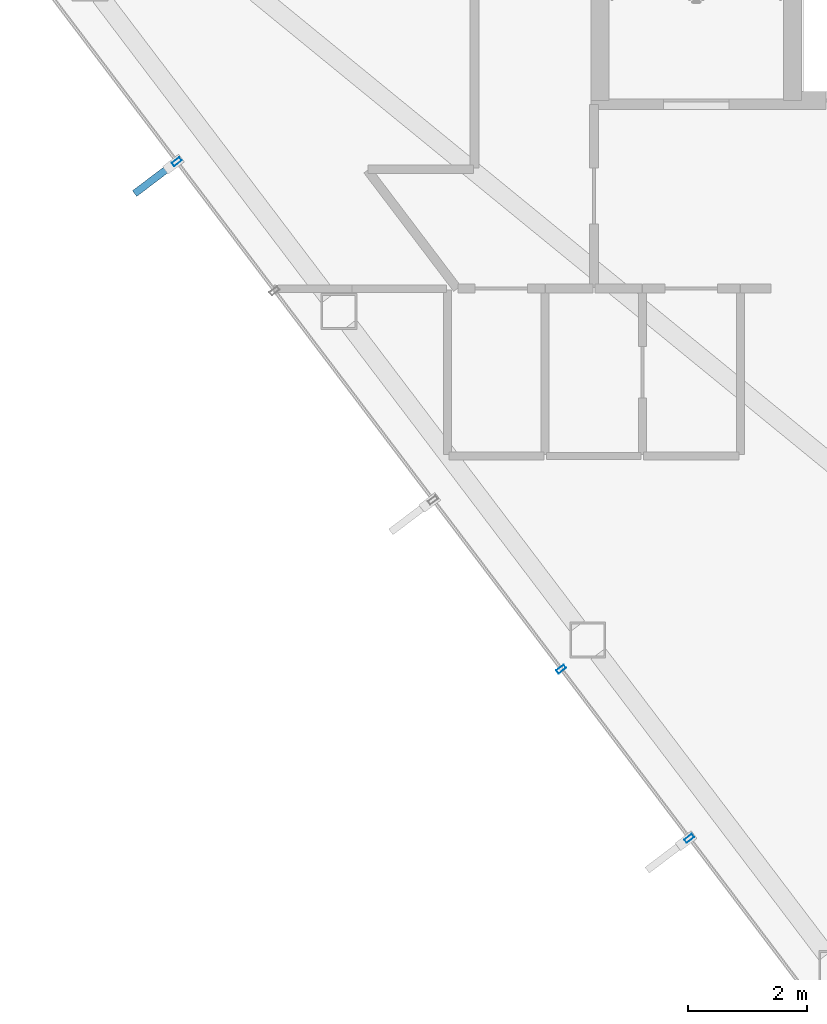
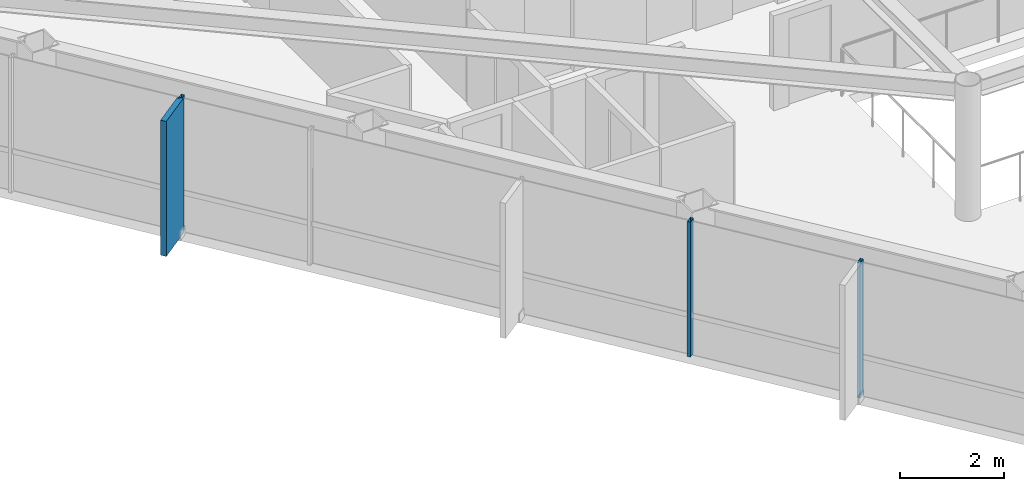
# One storey, part 2 of 28: 4 members, 1 element without a shape of its own.
"""IFC4 building model written with IfcOpenShell, lengths in metres."""

from ifc_helpers import new_model, si_unit, direction, frame, origin, origin_2d, place, context, subcontext, project, spatial, rectangle, hollow_rectangle, extrude, material, layer, layer_set, material_profile, profile_set, type_object, element, aggregate, save


model = new_model("IFC4")

# Units and contexts
model_context = context("Model", 3, precision=1e-05, world=origin(), true_north=direction((0.0, 1.0)))
body_context = subcontext(model_context, "Body", "Model", "MODEL_VIEW")
ifc_project = project(units=[si_unit("LENGTHUNIT", "METRE"), si_unit("AREAUNIT", "SQUARE_METRE"), si_unit("VOLUMEUNIT", "CUBIC_METRE"), si_unit("PLANEANGLEUNIT", "RADIAN"), si_unit("MASSUNIT", "GRAM", prefix="KILO")], contexts=[model_context])

# Site, building, storey
site_placement = place(None, origin())
site = spatial("IfcSite", under=ifc_project, at=site_placement, CompositionType="ELEMENT")
building_placement = place(site_placement, origin())
building = spatial("IfcBuilding", under=site, at=building_placement, Name="Zarrinselat Tower", CompositionType="ELEMENT")
storey_placement = place(building_placement, frame((0.0, 0.0, 218.9599609375)))
storey = spatial("IfcBuildingStorey", under=building, at=storey_placement, Name="L54", CompositionType="ELEMENT", Elevation=218.9599609375)

# Curtain wall, members
ifc_material_1 = material(Name="Extruded Aluminium Alloy EN AW-6063 T6", Category="aluminium")
ifc_layer = layer(ifc_material_1, 0.169921875)
ifc_layer_set = layer_set([ifc_layer], Name="Extruded Aluminium Alloy EN AW-6063 T6")
curtain_wall_type = type_object("IfcCurtainWallType", Name="CWS-RES", PredefinedType="NOTDEFINED", material=ifc_layer_set)
curtain_wall_placement = place(storey_placement, origin())
curtain_wall = element("IfcCurtainWall", 1, at=curtain_wall_placement, inside=storey, type_object=curtain_wall_type, Name="L54 Unitised Curtain Wall CW-L54-E03", PredefinedType="NOTDEFINED")
ifc_material_2 = material(Name="Extruded Aluminium Alloy EN AW-6063 T6", Category="aluminium")
ifc_material_profile_1 = material_profile(ifc_material_2, hollow_rectangle(XDim=0.070068359375, YDim=0.159912109375, WallThickness=0.00390625, at=origin_2d()), Name="RHS 160x70x4")
ifc_profile_set_1 = profile_set([ifc_material_profile_1], Name="Extruded Aluminium Alloy EN AW-6063 T6")
member_type_1 = type_object("IfcMemberType", Name="MEM-CW-MUL2", PredefinedType="MULLION", material=ifc_profile_set_1)
member_1_placement = place(storey_placement, frame((21.562744140625, 32.2763671875, 0.0), z_axis=(0.0, 0.0, 1.0), x_axis=(0.603859787908, -0.797090557307, 0.0)))
member_1 = element("IfcMember", 2, at=member_1_placement, type_object=member_type_1, Name="CW-L54-E03 Mullion 3", PredefinedType="MULLION", context=body_context, shape_type="SweptSolid", body=[
    extrude(hollow_rectangle(XDim=0.070068359375, YDim=0.159912109375, WallThickness=0.00390625, at=origin_2d()), origin(), (0.0, 0.0, 1.0), 3.179931640625),
])
member_2_placement = place(storey_placement, frame((27.9990234375, 23.780517578125, 0.0), z_axis=(0.0, 0.0, 1.0), x_axis=(0.603859787908, -0.797090557307, 0.0)))
member_2 = element("IfcMember", 3, at=member_2_placement, type_object=member_type_1, Name="CW-L54-E03 Mullion 6", PredefinedType="MULLION", context=body_context, shape_type="SweptSolid", body=[
    extrude(hollow_rectangle(XDim=0.070068359375, YDim=0.159912109375, WallThickness=0.00390625, at=origin_2d()), origin(), (0.0, 0.0, 1.0), 3.179931640625),
])
member_3_placement = place(storey_placement, frame((30.144287109375, 20.948486328125, 0.0), z_axis=(0.0, 0.0, 1.0), x_axis=(0.603859787908, -0.797090557307, 0.0)))
member_3 = element("IfcMember", 4, at=member_3_placement, type_object=member_type_1, Name="CW-L54-E03 Mullion 7", PredefinedType="MULLION", context=body_context, shape_type="SweptSolid", body=[
    extrude(hollow_rectangle(XDim=0.070068359375, YDim=0.159912109375, WallThickness=0.00390625, at=origin_2d()), origin(), (0.0, 0.0, 1.0), 3.179931640625),
])
ifc_material_3 = material(Name="Honed Cream Travertine Stone", Category="masonry")
ifc_material_profile_2 = material_profile(ifc_material_3, rectangle(XDim=0.1201171875, YDim=0.85009765625, at=origin_2d()), Name="FIN 850x120")
ifc_profile_set_2 = profile_set([ifc_material_profile_2], Name="Honed Cream Travertine Stone")
member_type_2 = type_object("IfcMemberType", Name="MEM-STONE-FIN", PredefinedType="USERDEFINED", material=ifc_profile_set_2)
member_4_placement = place(storey_placement, frame((21.196044921875, 31.99853515625, 0.0), z_axis=(0.0, 0.0, 1.0), x_axis=(-0.603859787908, 0.797090557307, 0.0)))
member_4 = element("IfcMember", 5, at=member_4_placement, type_object=member_type_2, Name="L54 Stone Shading Fin CW-L54-E03-03", ObjectType="FIN", PredefinedType="USERDEFINED", context=body_context, shape_type="SweptSolid", body=[
    extrude(rectangle(XDim=0.1201171875, YDim=0.85009765625, at=origin_2d()), origin(), (0.0, 0.0, 1.0), 3.179931640625),
])
aggregate(curtain_wall, [member_1, member_4, member_2, member_3])

save(model, "model.ifc")
